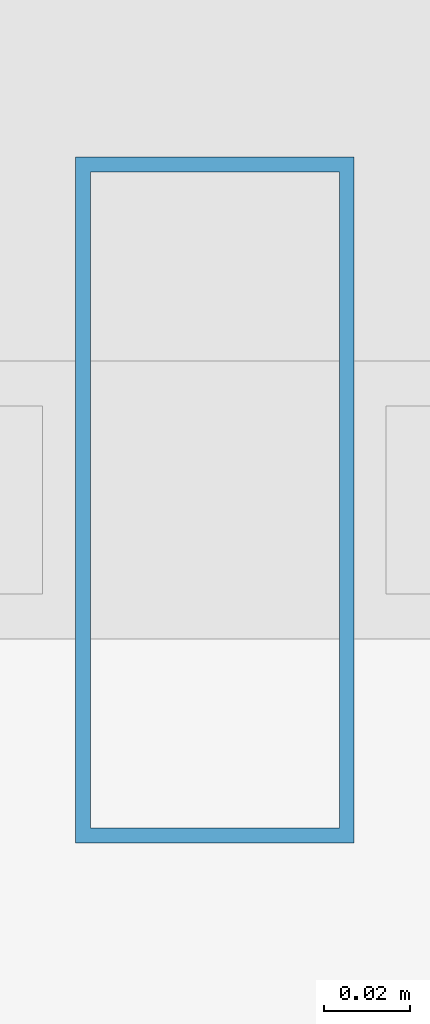
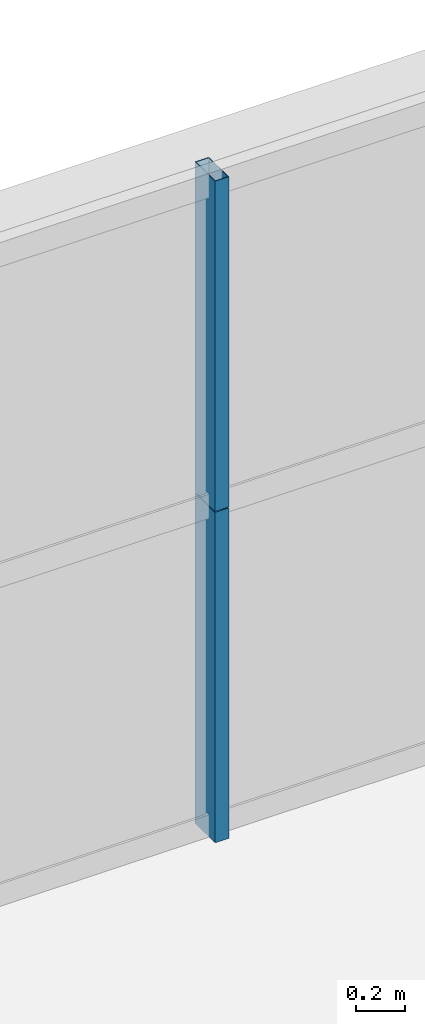
# One storey, part 34 of 45: 2 members, 1 element without a shape of its own.
"""IFC4 building model written with IfcOpenShell, lengths in metres."""

from ifc_helpers import new_model, si_unit, direction, frame, origin, origin_2d, place, context, subcontext, project, spatial, hollow_rectangle, extrude, source, transform, mapped, material, layer, layer_set, material_profile, profile_set, type_object, element, aggregate, save


model = new_model("IFC4")

# Units and contexts
model_context = context("Model", 3, precision=1e-05, world=origin(), true_north=direction((0.0, 1.0)))
body_context = subcontext(model_context, "Body", "Model", "MODEL_VIEW")
ifc_project = project(units=[si_unit("LENGTHUNIT", "METRE"), si_unit("AREAUNIT", "SQUARE_METRE"), si_unit("VOLUMEUNIT", "CUBIC_METRE"), si_unit("PLANEANGLEUNIT", "RADIAN"), si_unit("MASSUNIT", "GRAM", prefix="KILO"), si_unit("THERMODYNAMICTEMPERATUREUNIT", "KELVIN"), si_unit("POWERUNIT", "WATT")], contexts=[model_context])

# Site, building, storey
site_placement = place(None, origin())
site = spatial("IfcSite", under=ifc_project, at=site_placement, CompositionType="ELEMENT")
building_placement = place(site_placement, origin())
building = spatial("IfcBuilding", under=site, at=building_placement, Name="Yuzanri Waterfront Tower", CompositionType="ELEMENT")
storey_placement = place(building_placement, frame((0.0, 0.0, 212.5)))
storey = spatial("IfcBuildingStorey", under=building, at=storey_placement, Name="L56", CompositionType="ELEMENT", Elevation=212.5)

# Curtain wall, members
ifc_material_1 = material(Name="Anodized Architectural Bronze", Category="metal")
ifc_layer = layer(ifc_material_1, 0.159912109375)
ifc_layer_set = layer_set([ifc_layer], Name="Anodized Architectural Bronze")
curtain_wall_type = type_object("IfcCurtainWallType", Name="Anodized Bronze Mid-Rise Residential Acoustic Unitized Curtain Wall 7200", PredefinedType="NOTDEFINED", material=ifc_layer_set)
curtain_wall_placement = place(storey_placement, origin())
curtain_wall = element("IfcCurtainWall", 1, at=curtain_wall_placement, inside=storey, type_object=curtain_wall_type, Name="L56 Curtain Wall CW-L56-NL", PredefinedType="NOTDEFINED")
ifc_material_2 = material(Name="Anodized Architectural Bronze", Category="metal")
ifc_material_profile = material_profile(ifc_material_2, hollow_rectangle(XDim=0.06494140625, YDim=0.159912109375, WallThickness=0.00341796875, at=origin_2d()), Name="CWM 65x160")
ifc_profile_set = profile_set([ifc_material_profile], Name="Anodized Architectural Bronze")
member_type = type_object("IfcMemberType", Name="Anodized Bronze Upper-Zone Curtain-Wall Mullion 65x160", PredefinedType="MULLION", material=ifc_profile_set)
shared_shape = source(origin(), body_context, "Body", "SweptSolid", [
    extrude(hollow_rectangle(XDim=0.06494140625, YDim=0.159912109375, WallThickness=0.00341796875, at=origin_2d()), origin(), (0.0, 0.0, 1.0), 1.637939453125),
])
member_1_placement = place(storey_placement, frame((29.425048828125, 47.75, 0.0), z_axis=(0.0, 0.0, 1.0), x_axis=(1.0, 0.0, 0.0)))
member_1 = element("IfcMember", 2, at=member_1_placement, type_object=member_type, Name="CW-L56-NL Lower Mullion 01", PredefinedType="MULLION", context=body_context, shape_type="MappedRepresentation", body=[
    mapped(shared_shape, transform((0.0, 0.0, 0.0), scale=1.0)),
])
member_2_placement = place(storey_placement, frame((29.425048828125, 47.75, 1.64208984375), z_axis=(0.0, 0.0, 1.0), x_axis=(1.0, 0.0, 0.0)))
member_2 = element("IfcMember", 3, at=member_2_placement, type_object=member_type, Name="CW-L56-NL Upper Mullion 01", PredefinedType="MULLION", context=body_context, shape_type="MappedRepresentation", body=[
    mapped(shared_shape, transform((0.0, 0.0, 0.0), scale=1.0)),
])
aggregate(curtain_wall, [member_1, member_2])

save(model, "model.ifc")
